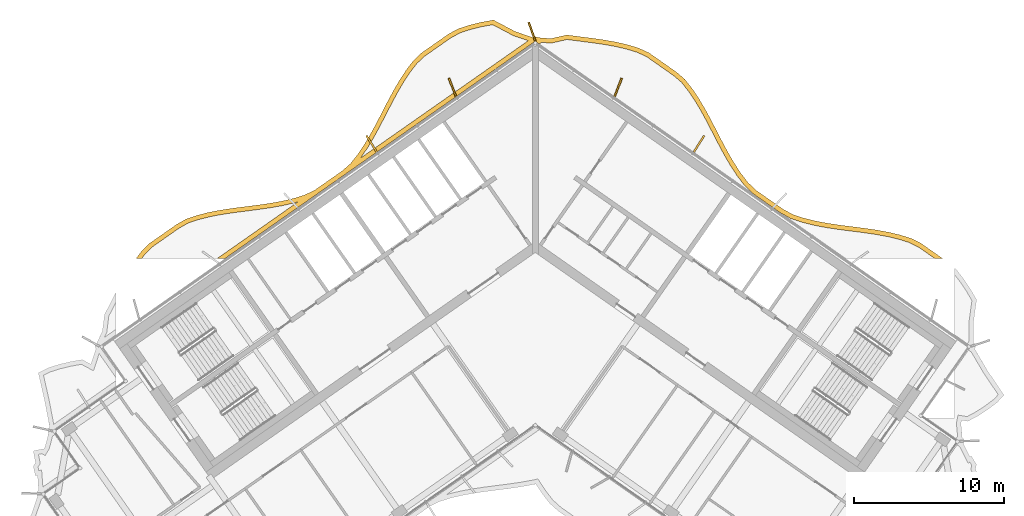
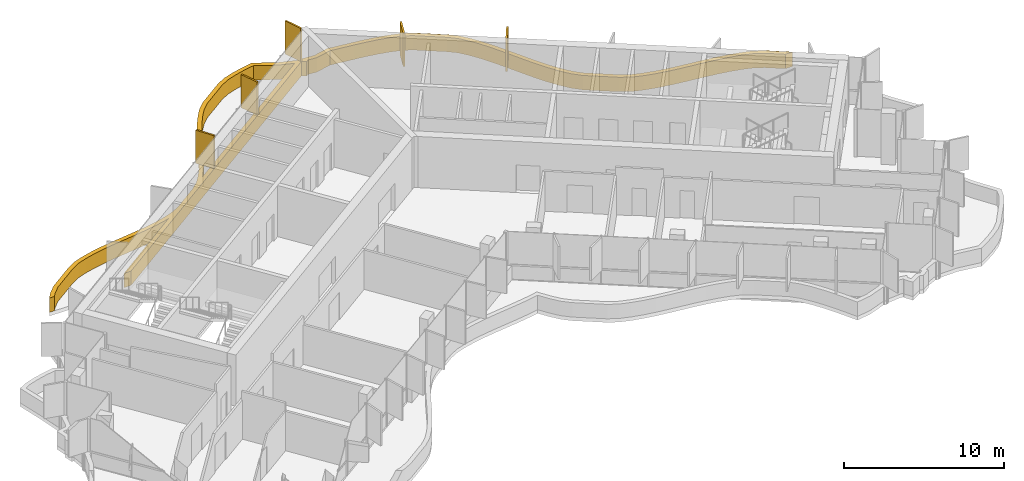
# One storey, part 17 of 17: 6 shading devices.
"""IFC4 building model written with IfcOpenShell, lengths in metres."""

from ifc_helpers import new_model, si_unit, direction, frame, origin, origin_2d, place, context, subcontext, project, spatial, polyline, rectangle, outline, extrude, material, layer, layer_set, type_object, element, save


model = new_model("IFC4")

# Units and contexts
model_context = context("Model", 3, precision=1e-05, world=origin(), true_north=direction((0.0, 1.0)))
body_context = subcontext(model_context, "Body", "Model", "MODEL_VIEW")
ifc_project = project(units=[si_unit("LENGTHUNIT", "METRE"), si_unit("AREAUNIT", "SQUARE_METRE"), si_unit("VOLUMEUNIT", "CUBIC_METRE"), si_unit("PLANEANGLEUNIT", "RADIAN"), si_unit("MASSUNIT", "GRAM", prefix="KILO")], contexts=[model_context])

# Site, building, storey
site_placement = place(None, origin())
site = spatial("IfcSite", under=ifc_project, at=site_placement, CompositionType="ELEMENT")
building_placement = place(site_placement, origin())
building = spatial("IfcBuilding", under=site, at=building_placement, Name="Tel Ilan Convention Tower", CompositionType="ELEMENT")
storey_placement = place(building_placement, frame((0.0, 0.0, 276.10009765625)))
storey = spatial("IfcBuildingStorey", under=building, at=storey_placement, Name="L65", CompositionType="ELEMENT", Elevation=276.10009765625)

# Shading devices
ifc_material_1 = material(Name="Aluminium, bronze anodised", Category="aluminium")
ifc_layer_1 = layer(ifc_material_1, 0.1201171875)
ifc_layer_set_1 = layer_set([ifc_layer_1], Name="FIN BRONZE 1300x120")
shading_device_type_1 = type_object("IfcShadingDeviceType", Name="FIN BRONZE 1300x120", PredefinedType="USERDEFINED", material=ifc_layer_set_1)
for number, where, z_axis, x_axis, name in (
    (1, (10.87841796875, 5.99658203125, 1.099853515625), (0.0, 0.0, 1.0), (0.533204432798, 0.845986425922, 0.0), "FIN"),
    (2, (5.50732421875, 9.7490234375, 1.099853515625), (0.0, 0.0, 1.0), (0.360177724803, 0.932883704733, 0.0), "FIN"),
    (3, (-0.21630859375, 13.450439453125, 1.099853515625), (0.0, 0.0, 1.0), (-0.332892691468, 0.942964716183, 0.0), "FIN"),
    (4, (-5.50732421875, 9.7490234375, 1.099853515625), (0.0, 0.0, 1.0), (-0.360177724803, 0.932883704733, 0.0), "FIN"),
    (5, (-10.87841796875, 5.99658203125, 1.099853515625), (0.0, 0.0, 1.0), (-0.533204432798, 0.845986425922, 0.0), "FIN"),
):
    element("IfcShadingDevice", number, at=place(storey_placement, frame(where, z_axis=z_axis, x_axis=x_axis)), inside=storey, type_object=shading_device_type_1, Name=name, ObjectType="FIN", PredefinedType="USERDEFINED", context=body_context, shape_type="SweptSolid", body=[
        extrude(rectangle(XDim=1.300048828125, YDim=0.1201171875, at=origin_2d()), origin(), (0.0, 0.0, 1.0), 2.52001953125),
    ])
ifc_material_2 = material(Name="Aluminium, bronze anodised", Category="aluminium")
ifc_layer_2 = layer(ifc_material_2, 0.300048828125)
ifc_layer_set_2 = layer_set([ifc_layer_2], Name="LOUVRE BAND 300x1100")
shading_device_type_2 = type_object("IfcShadingDeviceType", Name="LOUVRE BAND 300x1100", PredefinedType="USERDEFINED", material=ifc_layer_set_2)
shading_device_placement = place(storey_placement, origin())
element("IfcShadingDevice", 6, at=shading_device_placement, inside=storey, type_object=shading_device_type_2, Name="LOUVRE BAND 50.02", ObjectType="LOUVRE", PredefinedType="USERDEFINED", context=body_context, shape_type="SweptSolid", body=[
    extrude(outline(polyline([(-26.1787109375, -1.1572265625), (-26.535888671875, -1.631591796875), (-26.160400390625, -1.631591796875), (-25.951416015625, -1.35400390625), (-25.457275390625, -0.856689453125), (-23.680908203125, 0.38720703125), (-23.075439453125, 0.7314453125), (-22.38525390625, 0.962158203125), (-21.640625, 1.14990234375), (-20.86181640625, 1.298828125), (-20.0576171875, 1.420166015625), (-18.409423828125, 1.63232421875), (-17.585205078125, 1.750732421875), (-16.773193359375, 1.89599609375), (-15.982666015625, 2.081298828125), (-15.75634765625, 2.151611328125), (-21.159423828125, -1.631591796875), (-20.63623046875, -1.631591796875), (0.0, 12.818115234375), (0.261474609375, 12.635009765625), (0.4140625, 12.741943359375), (1.040771484375, 12.687744140625), (2.10400390625, 12.9296875), (3.699462890625, 12.72509765625), (4.510009765625, 12.60986328125), (5.2978515625, 12.47119140625), (6.054443359375, 12.297119140625), (6.765625, 12.080078125), (7.40185546875, 11.785888671875), (9.17822265625, 10.5419921875), (9.708740234375, 10.0908203125), (10.16162109375, 9.521240234375), (10.5927734375, 8.885498046875), (10.9990234375, 8.204833984375), (11.38818359375, 7.49072265625), (12.151123046875, 6.014404296875), (12.54443359375, 5.2802734375), (12.958740234375, 4.567138671875), (13.403076171875, 3.8876953125), (13.891357421875, 3.245849609375), (14.459716796875, 2.693359375), (16.302978515625, 1.40283203125), (16.991455078125, 1.02587890625), (17.759521484375, 0.773681640625), (18.544921875, 0.579345703125), (19.353271484375, 0.42724609375), (20.176025390625, 0.3046875), (21.826416015625, 0.092529296875), (22.634765625, -0.025146484375), (23.4189453125, -0.167724609375), (24.1708984375, -0.34716796875), (24.873291015625, -0.569580078125), (25.496826171875, -0.88427734375), (26.56396484375, -1.631591796875), (27.087158203125, -1.631591796875), (25.6513671875, -0.626220703125), (24.987060546875, -0.290771484375), (24.2509765625, -0.057861328125), (23.480712890625, 0.1259765625), (22.68310546875, 0.27099609375), (21.8671875, 0.3896484375), (20.21728515625, 0.601806640625), (19.4033203125, 0.72314453125), (18.60888671875, 0.87255859375), (17.842529296875, 1.062255859375), (17.111328125, 1.30224609375), (16.46142578125, 1.657958984375), (14.6513671875, 2.92529296875), (14.116455078125, 3.4453125), (13.648193359375, 4.060791015625), (13.214111328125, 4.724609375), (12.806396484375, 5.426513671875), (12.416748046875, 6.154052734375), (11.653076171875, 7.631591796875), (11.259521484375, 8.353515625), (10.845947265625, 9.046875), (10.403564453125, 9.69921875), (9.925537109375, 10.300537109375), (9.36181640625, 10.77978515625), (7.552001953125, 12.047119140625), (6.872802734375, 12.361083984375), (6.132080078125, 12.587158203125), (5.357666015625, 12.765380859375), (4.55712890625, 12.90625), (3.739501953125, 13.0224609375), (2.08935546875, 13.234130859375), (1.02001953125, 12.99072265625), (0.168701171875, 13.059326171875), (0.11474609375, 13.09521484375), (0.0, 13.1181640625), (-0.11474609375, 13.09521484375), (-0.168701171875, 13.059326171875), (-1.357666015625, 13.472900390625), (-2.785888671875, 14.228515625), (-3.5830078125, 14.083251953125), (-4.3515625, 13.896484375), (-5.0849609375, 13.66015625), (-5.7421875, 13.314453125), (-7.552001953125, 12.047119140625), (-8.09423828125, 11.53759765625), (-8.56494140625, 10.925537109375), (-9.001220703125, 10.264404296875), (-9.410400390625, 9.564697265625), (-9.801025390625, 8.838623046875), (-10.564453125, 7.36083984375), (-10.95703125, 6.63720703125), (-11.369140625, 5.94189453125), (-11.809326171875, 5.28662109375), (-12.284912109375, 4.681640625), (-12.841552734375, 4.192626953125), (-14.6513671875, 2.92529296875), (-15.3232421875, 2.6005859375), (-16.0615234375, 2.370849609375), (-16.833984375, 2.18994140625), (-17.6328125, 2.046875), (-18.44970703125, 1.9296875), (-20.099365234375, 1.71728515625), (-20.91259765625, 1.594482421875), (-21.705322265625, 1.44287109375), (-22.4697265625, 1.250244140625), (-23.1982421875, 1.0068359375), (-23.84130859375, 0.64111328125), (-25.6513671875, -0.626220703125), (-26.1787109375, -1.1572265625)]), holes=[polyline([(-11.609619140625, 5.05517578125), (-11.115234375, 5.78173828125), (-10.696044921875, 6.4892578125), (-10.29931640625, 7.220458984375), (-9.535400390625, 8.69873046875), (-9.148681640625, 9.41796875), (-8.746337890625, 10.106201171875), (-8.320556640625, 10.751220703125), (-7.871337890625, 11.33544921875), (-7.3623046875, 11.813720703125), (-5.585693359375, 13.0576171875), (-4.96826171875, 13.382568359375), (-4.27001953125, 13.607666015625), (-3.520751953125, 13.78955078125), (-2.834228515625, 13.914794921875), (-1.477294921875, 13.19677734375), (-0.4755859375, 12.851318359375), (-11.609619140625, 5.05517578125)])]), origin(), (0.0, 0.0, 1.0), 1.099853515625),
])

save(model, "model.ifc")
